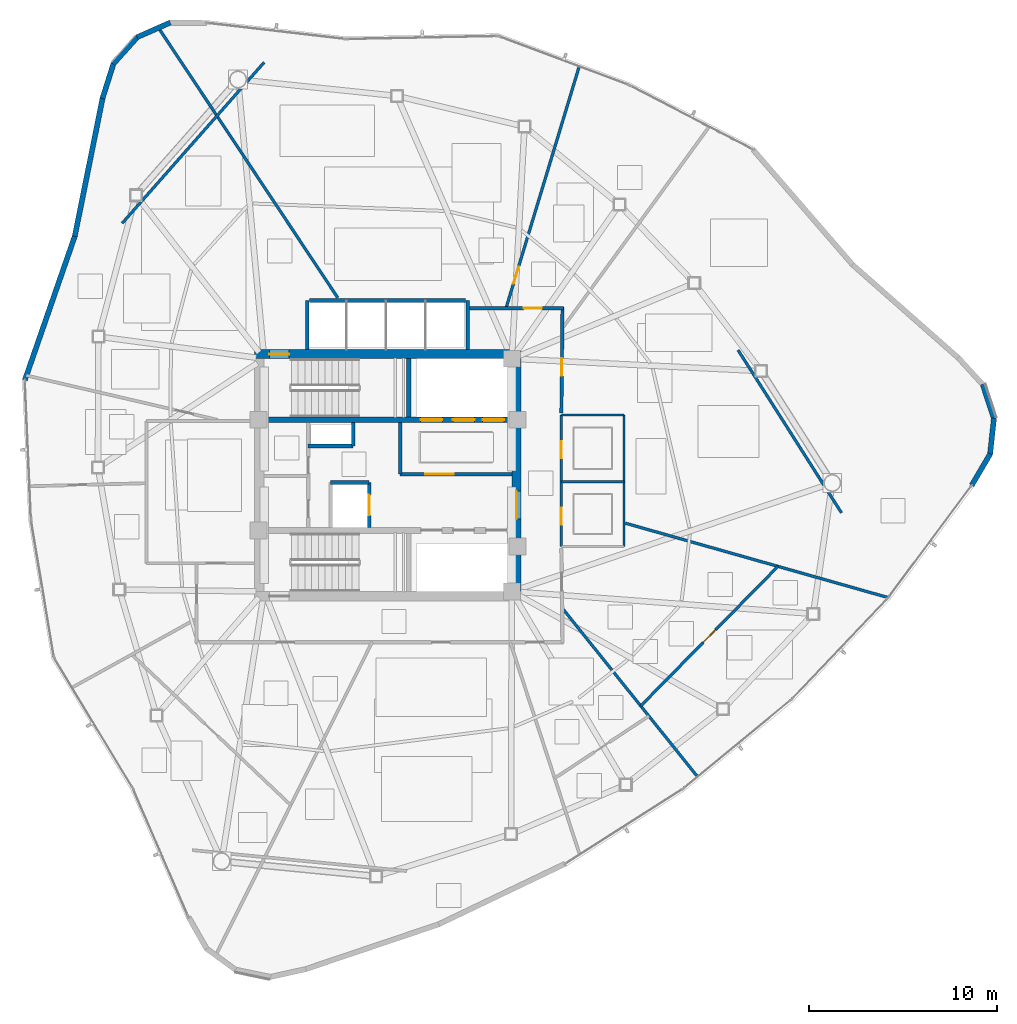
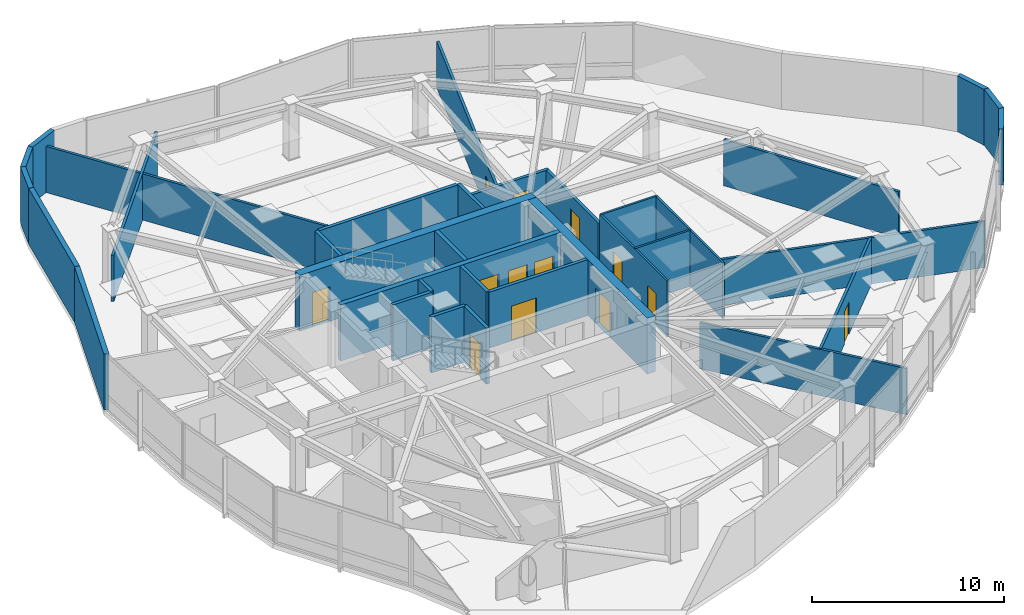
# One storey, part 12 of 17: 34 walls, 13 doors, 13 openings.
"""IFC4 building model written with IfcOpenShell, lengths in metres."""

from ifc_helpers import new_model, si_unit, direction, frame, frame_2d, origin, place, context, subcontext, project, spatial, rectangle, extrude, material, layer, layer_set, type_object, element, fill, save


model = new_model("IFC4")

# Units and contexts
model_context = context("Model", 3, precision=1e-05, world=origin(), true_north=direction((0.0, 1.0)))
body_context = subcontext(model_context, "Body", "Model", "MODEL_VIEW")
ifc_project = project(units=[si_unit("LENGTHUNIT", "METRE"), si_unit("AREAUNIT", "SQUARE_METRE"), si_unit("VOLUMEUNIT", "CUBIC_METRE"), si_unit("PLANEANGLEUNIT", "RADIAN"), si_unit("MASSUNIT", "GRAM", prefix="KILO")], contexts=[model_context])

# Site, building, storey
site_placement = place(None, origin())
site = spatial("IfcSite", under=ifc_project, at=site_placement, CompositionType="ELEMENT")
building_placement = place(site_placement, origin())
building = spatial("IfcBuilding", under=site, at=building_placement, Name="Tavelor Broadcast Tower", CompositionType="ELEMENT")
storey_placement = place(building_placement, frame((0.0, 0.0, 184.89990234375)))
storey = spatial("IfcBuildingStorey", under=building, at=storey_placement, Name="L44", CompositionType="ELEMENT", Elevation=184.89990234375)

# Wall, opening, door
ifc_material_1 = material(Name="Concrete C50/60", Category="concrete")
ifc_layer_1 = layer(ifc_material_1, 0.5)
ifc_layer_set_1 = layer_set([ifc_layer_1], Name="Concrete C50/60")
wall_type_1 = type_object("IfcWallType", Name="Core Shear Wall 500 mm", PredefinedType="SHEAR", material=ifc_layer_set_1)
wall_1_placement = place(storey_placement, frame((42.89990234375, 51.449951171875, 0.0), z_axis=(0.0, 0.0, 1.0), x_axis=(1.0, 0.0, 0.0)))
wall_1 = element("IfcWall", 1, at=wall_1_placement, inside=storey, type_object=wall_type_1, Name="L44 Central Core Shear Wall N", PredefinedType="SHEAR", context=body_context, shape_type="SweptSolid", body=[
    extrude(rectangle(XDim=14.2001953125, YDim=0.5, at=frame_2d((7.10009765625, 0.0))), origin(), (0.0, 0.0, 1.0), 3.550048828125),
])
opening_1_placement = place(wall_1_placement, frame((0.780029296875, 0.0, 0.0)))
opening_1 = element("IfcOpeningElement", 2, at=opening_1_placement, cuts=wall_1, Name="Opening DR11", PredefinedType="OPENING", context=body_context, shape_type="SweptSolid", body=[
    extrude(rectangle(XDim=1.050048828125, YDim=2.199951171875, at=frame_2d((0.52490234375, 1.10009765625))), frame((0.0, 0.260009765625, 0.0), z_axis=(0.0, -1.0, 0.0), x_axis=(1.0, 0.0, 0.0)), (0.0, 0.0, 1.0), 0.52001953125),
])
ifc_material_2 = material(Name="Steel S355", Category="steel")
door_type_1 = type_object("IfcDoorType", Name="Stair Core Fire Escape Door 1050x2200", OperationType="NOTDEFINED", PredefinedType="DOOR", material=ifc_material_2)
door_1_placement = place(opening_1_placement, origin())
door_1 = element("IfcDoor", 3, at=door_1_placement, inside=storey, type_object=door_type_1, Name="L44 Stair ST1 Protected Exit Door", OperationType="SINGLE_SWING_LEFT", OverallHeight=2.199951171875, OverallWidth=1.050048828125, PredefinedType="DOOR", context=body_context, shape_type="SweptSolid", body=[
    extrude(rectangle(XDim=1.050048828125, YDim=2.199951171875, at=frame_2d((0.52490234375, 1.10009765625))), frame((0.0, 0.02490234375, 0.0), z_axis=(0.0, -1.0, 0.0), x_axis=(1.0, 0.0, 0.0)), (0.0, 0.0, 1.0), 0.050048828125),
])
fill(opening_1, door_1)

wall_2_placement = place(storey_placement, frame((56.85009765625, 38.800048828125, 0.0), z_axis=(0.0, 0.0, 1.0), x_axis=(0.0, 1.0, 0.0)))
wall_2 = element("IfcWall", 4, at=wall_2_placement, inside=storey, type_object=wall_type_1, Name="L44 Central Core Shear Wall E", PredefinedType="SHEAR", context=body_context, shape_type="SweptSolid", body=[
    extrude(rectangle(XDim=12.39990234375, YDim=0.5, at=frame_2d((6.199951171875, 0.0))), origin(), (0.0, 0.0, 1.0), 3.550048828125),
])
opening_2_placement = place(wall_2_placement, frame((3.85009765625, 0.0, 0.0)))
opening_2 = element("IfcOpeningElement", 5, at=opening_2_placement, cuts=wall_2, Name="Opening DR14", PredefinedType="OPENING", context=body_context, shape_type="SweptSolid", body=[
    extrude(rectangle(XDim=1.5, YDim=2.199951171875, at=frame_2d((0.75, 1.10009765625))), frame((0.0, 0.260009765625, 0.0), z_axis=(0.0, -1.0, 0.0), x_axis=(1.0, 0.0, 0.0)), (0.0, 0.0, 1.0), 0.52001953125),
])
door_type_2 = type_object("IfcDoorType", Name="Firefighting Lobby Double Fire Door 1500x2200", OperationType="NOTDEFINED", PredefinedType="DOOR", material=ifc_material_2)
door_2_placement = place(opening_2_placement, origin())
door_2 = element("IfcDoor", 6, at=door_2_placement, inside=storey, type_object=door_type_2, Name="L44 Central Core Lobby Fire Door", OperationType="SINGLE_SWING_RIGHT", OverallHeight=2.199951171875, OverallWidth=1.5, PredefinedType="DOOR", context=body_context, shape_type="SweptSolid", body=[
    extrude(rectangle(XDim=1.5, YDim=2.199951171875, at=frame_2d((0.75, 1.10009765625))), frame((0.0, 0.02490234375, 0.0), z_axis=(0.0, -1.0, 0.0), x_axis=(1.0, 0.0, 0.0)), (0.0, 0.0, 1.0), 0.050048828125),
])
fill(opening_2, door_2)

# Wall, openings, doors
ifc_layer_2 = layer(ifc_material_1, 0.300048828125)
ifc_layer_set_2 = layer_set([ifc_layer_2], Name="Concrete C50/60")
wall_type_2 = type_object("IfcWallType", Name="Core Spine Shear Wall 300 mm C50", PredefinedType="SHEAR", material=ifc_layer_set_2)
wall_3_placement = place(storey_placement, frame((43.39990234375, 47.949951171875, 0.0), z_axis=(0.0, 0.0, 1.0), x_axis=(1.0, 0.0, 0.0)))
wall_3 = element("IfcWall", 7, at=wall_3_placement, inside=storey, type_object=wall_type_2, Name="L44 Central Core Shear Wall SP1", PredefinedType="SHEAR", context=body_context, shape_type="SweptSolid", body=[
    extrude(rectangle(XDim=13.2001953125, YDim=0.300048828125, at=frame_2d((6.60009765625, 0.0))), origin(), (0.0, 0.0, 1.0), 3.550048828125),
])
opening_3_placement = place(wall_3_placement, frame((8.344970703125, 0.0, 0.0)))
opening_3 = element("IfcOpeningElement", 8, at=opening_3_placement, cuts=wall_3, Name="Opening LD02", PredefinedType="OPENING", context=body_context, shape_type="SweptSolid", body=[
    extrude(rectangle(XDim=1.14990234375, YDim=2.199951171875, at=frame_2d((0.574951171875, 1.10009765625))), frame((0.0, 0.16015625, 0.0), z_axis=(0.0, -1.0, 0.0), x_axis=(1.0, 0.0, 0.0)), (0.0, 0.0, 1.0), 0.320068359375),
])
opening_4_placement = place(wall_3_placement, frame((10.06494140625, 0.0, 0.0)))
opening_4 = element("IfcOpeningElement", 9, at=opening_4_placement, cuts=wall_3, Name="Opening LD02", PredefinedType="OPENING", context=body_context, shape_type="SweptSolid", body=[
    extrude(rectangle(XDim=1.14990234375, YDim=2.199951171875, at=frame_2d((0.574951171875, 1.10009765625))), frame((0.0, 0.16015625, 0.0), z_axis=(0.0, -1.0, 0.0), x_axis=(1.0, 0.0, 0.0)), (0.0, 0.0, 1.0), 0.320068359375),
])
opening_5_placement = place(wall_3_placement, frame((11.64501953125, 0.0, 0.0)))
opening_5 = element("IfcOpeningElement", 10, at=opening_5_placement, cuts=wall_3, Name="Opening LD03", PredefinedType="OPENING", context=body_context, shape_type="SweptSolid", body=[
    extrude(rectangle(XDim=1.14990234375, YDim=2.199951171875, at=frame_2d((0.574951171875, 1.10009765625))), frame((0.0, 0.16015625, 0.0), z_axis=(0.0, -1.0, 0.0), x_axis=(1.0, 0.0, 0.0)), (0.0, 0.0, 1.0), 0.320068359375),
])
ifc_material_3 = material(Name="Reinforced Brushed Stainless Steel", Category="concrete")
door_type_3 = type_object("IfcDoorType", Name="Broadcast Goods Lift Sliding Landing Door 1250x2200", OperationType="NOTDEFINED", PredefinedType="DOOR", material=ifc_material_3)
door_3_placement = place(opening_5_placement, origin())
door_3 = element("IfcDoor", 11, at=door_3_placement, inside=storey, type_object=door_type_3, Name="L44 Lift SVL1 Sliding Landing Door", OperationType="SLIDING_TO_LEFT", OverallHeight=2.199951171875, OverallWidth=1.14990234375, PredefinedType="DOOR", context=body_context, shape_type="SweptSolid", body=[
    extrude(rectangle(XDim=1.14990234375, YDim=2.199951171875, at=frame_2d((0.574951171875, 1.10009765625))), frame((0.0, 0.02490234375, 0.0), z_axis=(0.0, -1.0, 0.0), x_axis=(1.0, 0.0, 0.0)), (0.0, 0.0, 1.0), 0.050048828125),
])
fill(opening_5, door_3)
ifc_material_4 = material(Name="Fire-Rated Stainless Steel", Category="steel")
door_type_4 = type_object("IfcDoorType", Name="Firefighting Lift Sliding Landing Door 1200x2200", OperationType="NOTDEFINED", PredefinedType="DOOR", material=ifc_material_4)
door_4_placement = place(opening_3_placement, origin())
door_4 = element("IfcDoor", 12, at=door_4_placement, inside=storey, type_object=door_type_4, Name="L44 Lift FFL1 Sliding Landing Door", OperationType="SLIDING_TO_LEFT", OverallHeight=2.199951171875, OverallWidth=1.14990234375, PredefinedType="DOOR", context=body_context, shape_type="SweptSolid", body=[
    extrude(rectangle(XDim=1.14990234375, YDim=2.199951171875, at=frame_2d((0.574951171875, 1.10009765625))), frame((0.0, 0.02490234375, 0.0), z_axis=(0.0, -1.0, 0.0), x_axis=(1.0, 0.0, 0.0)), (0.0, 0.0, 1.0), 0.050048828125),
])
fill(opening_3, door_4)
door_5_placement = place(opening_4_placement, origin())
door_5 = element("IfcDoor", 13, at=door_5_placement, inside=storey, type_object=door_type_4, Name="L44 Lift FFL2 Sliding Landing Door", OperationType="SLIDING_TO_LEFT", OverallHeight=2.199951171875, OverallWidth=1.14990234375, PredefinedType="DOOR", context=body_context, shape_type="SweptSolid", body=[
    extrude(rectangle(XDim=1.14990234375, YDim=2.199951171875, at=frame_2d((0.574951171875, 1.10009765625))), frame((0.0, 0.02490234375, 0.0), z_axis=(0.0, -1.0, 0.0), x_axis=(1.0, 0.0, 0.0)), (0.0, 0.0, 1.0), 0.050048828125),
])
fill(opening_4, door_5)

# Wall, opening, door
ifc_material_5 = material(Name="Calcium Silicate Fire Board 180 mm", Category="gypsum")
ifc_layer_3 = layer(ifc_material_5, 0.179931640625)
ifc_layer_set_3 = layer_set([ifc_layer_3], Name="Calcium Silicate Fire Board 180 mm")
wall_type_3 = type_object("IfcWallType", Name="Fire-Rated Corridor Partition Wall 180 mm", PredefinedType="PARTITIONING", material=ifc_layer_set_3)
wall_4_placement = place(storey_placement, frame((54.300048828125, 53.89990234375, 0.0), z_axis=(0.0, 0.0, 1.0), x_axis=(1.0, 0.0, 0.0)))
wall_4 = element("IfcWall", 14, at=wall_4_placement, inside=storey, type_object=wall_type_3, Name="L44 Corridor Compartment Wall 01", PredefinedType="PARTITIONING", context=body_context, shape_type="SweptSolid", body=[
    extrude(rectangle(XDim=5.050048828125, YDim=0.179931640625, at=frame_2d((2.52490234375, 0.0))), origin(), (0.0, 0.0, 1.0), 2.93505859375),
])
opening_6_placement = place(wall_4_placement, frame((2.947021484375, 0.0, 0.0)))
opening_6 = element("IfcOpeningElement", 15, at=opening_6_placement, cuts=wall_4, Name="Opening DR18", PredefinedType="OPENING", context=body_context, shape_type="SweptSolid", body=[
    extrude(rectangle(XDim=0.949951171875, YDim=2.050048828125, at=frame_2d((0.47509765625, 1.02490234375))), frame((0.0, 0.10009765625, 0.0), z_axis=(0.0, -1.0, 0.0), x_axis=(1.0, 0.0, 0.0)), (0.0, 0.0, 1.0), 0.199951171875),
])
ifc_material_6 = material(Name="Timber Solid Core Hardwood", Category="wood")
door_type_5 = type_object("IfcDoorType", Name="Corridor Rated Compartment Door 950x2050", OperationType="NOTDEFINED", PredefinedType="DOOR", material=ifc_material_6)
door_6_placement = place(opening_6_placement, origin())
door_6 = element("IfcDoor", 16, at=door_6_placement, inside=storey, type_object=door_type_5, Name="L44 Master Control Room Door R9", OperationType="SINGLE_SWING_LEFT", OverallHeight=2.050048828125, OverallWidth=0.949951171875, PredefinedType="DOOR", context=body_context, shape_type="SweptSolid", body=[
    extrude(rectangle(XDim=0.949951171875, YDim=2.050048828125, at=frame_2d((0.47509765625, 1.02490234375))), frame((0.0, 0.02490234375, 0.0), z_axis=(0.0, -1.0, 0.0), x_axis=(1.0, 0.0, 0.0)), (0.0, 0.0, 1.0), 0.050048828125),
])
fill(opening_6, door_6)

wall_5_placement = place(storey_placement, frame((59.300537109375, 53.949951171875, 0.0), z_axis=(0.0, 0.0, 1.0), x_axis=(-0.010629422803, -0.99994350609, 0.0)))
wall_5 = element("IfcWall", 17, at=wall_5_placement, inside=storey, type_object=wall_type_3, Name="L44 Corridor Compartment Wall 02", PredefinedType="PARTITIONING", context=body_context, shape_type="SweptSolid", body=[
    extrude(rectangle(XDim=5.650146484375, YDim=0.179931640625, at=frame_2d((2.8251953125, 0.0))), origin(), (0.0, 0.0, 1.0), 2.93505859375),
])
opening_7_placement = place(wall_5_placement, frame((2.71630859375, 0.0, 0.0)))
opening_7 = element("IfcOpeningElement", 18, at=opening_7_placement, cuts=wall_5, Name="Opening DR18", PredefinedType="OPENING", context=body_context, shape_type="SweptSolid", body=[
    extrude(rectangle(XDim=0.949951171875, YDim=2.050048828125, at=frame_2d((0.47509765625, 1.02490234375))), frame((0.0, 0.10009765625, 0.0), z_axis=(0.0, -1.0, 0.0), x_axis=(1.0, 0.0, 0.0)), (0.0, 0.0, 1.0), 0.199951171875),
])
door_7_placement = place(opening_7_placement, origin())
door_7 = element("IfcDoor", 19, at=door_7_placement, inside=storey, type_object=door_type_5, Name="L44 Standards Huddle Room Door R0", OperationType="SINGLE_SWING_RIGHT", OverallHeight=2.050048828125, OverallWidth=0.949951171875, PredefinedType="DOOR", context=body_context, shape_type="SweptSolid", body=[
    extrude(rectangle(XDim=0.949951171875, YDim=2.050048828125, at=frame_2d((0.47509765625, 1.02490234375))), frame((0.0, 0.02490234375, 0.0), z_axis=(0.0, -1.0, 0.0), x_axis=(1.0, 0.0, 0.0)), (0.0, 0.0, 1.0), 0.050048828125),
])
fill(opening_7, door_7)

# Walls
ifc_material_7 = material(Name="Precast Concrete C40/50", Category="concrete")
ifc_layer_4 = layer(ifc_material_7, 0.280029296875)
ifc_layer_set_4 = layer_set([ifc_layer_4], Name="Precast Concrete C40/50")
wall_type_4 = type_object("IfcWallType", Name="Insulated Precast Terracotta Facade Wall 280 mm", PredefinedType="STANDARD", material=ifc_layer_set_4)
for number, where, z_axis, x_axis, name in (
    (20, (38.401611328125, 69.115234375, 0.0), (0.0, 0.0, 1.0), (-0.914646501931, -0.404254593673, 0.0), "L44 Rounded Corner Structural Cladding Pier 02"),
    (21, (36.65380859375, 68.349365234375, 0.0), (0.0, 0.0, 1.0), (-0.66721481118, -0.744865354102, 0.0), "L44 Rounded Corner Structural Cladding Pier 03"),
):
    element("IfcWall", number, at=place(storey_placement, frame(where, z_axis=z_axis, x_axis=x_axis)), inside=storey, type_object=wall_type_4, Name=name, PredefinedType="STANDARD", context=body_context, shape_type="SweptSolid", body=[
        extrude(rectangle(XDim=1.936767578125, YDim=0.280029296875, at=frame_2d((0.96826171875, 0.0))), origin(), (0.0, 0.0, 1.0), 3.550048828125),
    ])
wall_6_placement = place(storey_placement, frame((35.3759765625, 66.93212890625, 0.0), z_axis=(0.0, 0.0, 1.0), x_axis=(-0.301536846472, -0.953454524463, 0.0)))
element("IfcWall", 22, at=wall_6_placement, inside=storey, type_object=wall_type_4, Name="L44 Rounded Corner Structural Cladding Pier 04", PredefinedType="STANDARD", context=body_context, shape_type="SweptSolid", body=[
    extrude(rectangle(XDim=1.95947265625, YDim=0.280029296875, at=frame_2d((0.979736328125, 0.0))), origin(), (0.0, 0.0, 1.0), 3.550048828125),
])
wall_7_placement = place(storey_placement, frame((34.792724609375, 65.093017578125, 0.0), z_axis=(0.0, 0.0, 1.0), x_axis=(-0.197271084359, -0.980348978311, 0.0)))
element("IfcWall", 23, at=wall_7_placement, inside=storey, type_object=wall_type_4, Name="L44 Rounded Corner Structural Cladding Pier 05", PredefinedType="STANDARD", context=body_context, shape_type="SweptSolid", body=[
    extrude(rectangle(XDim=7.51953125, YDim=0.280029296875, at=frame_2d((3.759765625, 0.0))), origin(), (0.0, 0.0, 1.0), 3.550048828125),
])
wall_8_placement = place(storey_placement, frame((33.3173828125, 57.75, 0.0), z_axis=(0.0, 0.0, 1.0), x_axis=(-0.327808231871, -0.944744284512, 0.0)))
element("IfcWall", 24, at=wall_8_placement, inside=storey, type_object=wall_type_4, Name="L44 Rounded Corner Structural Cladding Pier 06", PredefinedType="STANDARD", context=body_context, shape_type="SweptSolid", body=[
    extrude(rectangle(XDim=8.1357421875, YDim=0.280029296875, at=frame_2d((4.06787109375, 0.0))), origin(), (0.0, 0.0, 1.0), 3.550048828125),
])
wall_9_placement = place(storey_placement, frame((81.10546875, 44.45263671875, 0.0), z_axis=(0.0, 0.0, 1.0), x_axis=(0.506828463584, 0.862046929408, 0.0)))
element("IfcWall", 25, at=wall_9_placement, inside=storey, type_object=wall_type_4, Name="L44 Rounded Corner Structural Cladding Pier 21", PredefinedType="STANDARD", context=body_context, shape_type="SweptSolid", body=[
    extrude(rectangle(XDim=1.948486328125, YDim=0.280029296875, at=frame_2d((0.97412109375, 0.0))), origin(), (0.0, 0.0, 1.0), 3.550048828125),
])
for number, where, z_axis, x_axis, name in (
    (26, (82.083740234375, 46.1044921875, 0.0), (0.0, 0.0, 1.0), (0.107138374917, 0.994244119228, 0.0), "L44 Rounded Corner Structural Cladding Pier 22"),
    (27, (82.294189453125, 48.001220703125, 0.0), (0.0, 0.0, 1.0), (-0.311459245506, 0.950259511075, 0.0), "L44 Rounded Corner Structural Cladding Pier 23"),
):
    element("IfcWall", number, at=place(storey_placement, frame(where, z_axis=z_axis, x_axis=x_axis)), inside=storey, type_object=wall_type_4, Name=name, PredefinedType="STANDARD", context=body_context, shape_type="SweptSolid", body=[
        extrude(rectangle(XDim=1.93701171875, YDim=0.280029296875, at=frame_2d((0.968505859375, 0.0))), origin(), (0.0, 0.0, 1.0), 3.550048828125),
    ])
ifc_material_8 = material(Name="Gypsum Acoustic Plasterboard 150 mm", Category="gypsum")
ifc_layer_5 = layer(ifc_material_8, 0.14990234375)
ifc_layer_set_5 = layer_set([ifc_layer_5], Name="Gypsum Acoustic Plasterboard 150 mm")
wall_type_5 = type_object("IfcWallType", Name="Interior Acoustic Partition Wall 150 mm", PredefinedType="PARTITIONING", material=ifc_layer_set_5)
wall_10_placement = place(storey_placement, frame((43.399658203125, 66.988525390625, 0.0), z_axis=(0.0, 0.0, 1.0), x_axis=(-0.661622343701, -0.749837231881, 0.0)))
element("IfcWall", 28, at=wall_10_placement, inside=storey, type_object=wall_type_5, Name="L44 Corner Tube Brace Furring Wall 1", PredefinedType="PARTITIONING", context=body_context, shape_type="SweptSolid", body=[
    extrude(rectangle(XDim=11.42724609375, YDim=0.14990234375, at=frame_2d((5.713623046875, 0.0))), origin(), (0.0, 0.0, 1.0), 2.93505859375),
])
wall_11_placement = place(storey_placement, frame((74.16259765625, 42.9931640625, 0.0), z_axis=(0.0, 0.0, 1.0), x_axis=(-0.53628142437, 0.844039237166, 0.0)))
element("IfcWall", 29, at=wall_11_placement, inside=storey, type_object=wall_type_5, Name="L44 Corner Tube Brace Furring Wall 3", PredefinedType="PARTITIONING", context=body_context, shape_type="SweptSolid", body=[
    extrude(rectangle(XDim=10.266845703125, YDim=0.14990234375, at=frame_2d((5.13330078125, 0.0))), origin(), (0.0, 0.0, 1.0), 2.93505859375),
])
wall_12_placement = place(storey_placement, frame((59.2783203125, 37.9228515625, 0.0), z_axis=(0.0, 0.0, 1.0), x_axis=(0.625811087675, -0.779974667885, 0.0)))
element("IfcWall", 30, at=wall_12_placement, inside=storey, type_object=wall_type_5, Name="L44 Radial Compartment Wall 05", PredefinedType="PARTITIONING", context=body_context, shape_type="SweptSolid", body=[
    extrude(rectangle(XDim=11.544677734375, YDim=0.14990234375, at=frame_2d((5.7724609375, 0.0))), origin(), (0.0, 0.0, 1.0), 2.93505859375),
])
wall_13_placement = place(storey_placement, frame((62.64990234375, 42.43798828125, 0.0), z_axis=(0.0, 0.0, 1.0), x_axis=(0.962191299286, -0.272374564852, 0.0)))
element("IfcWall", 31, at=wall_13_placement, inside=storey, type_object=wall_type_5, Name="L44 Radial Compartment Wall 06", PredefinedType="PARTITIONING", context=body_context, shape_type="SweptSolid", body=[
    extrude(rectangle(XDim=14.571044921875, YDim=0.14990234375, at=frame_2d((7.28564453125, 0.0))), origin(), (0.0, 0.0, 1.0), 2.93505859375),
])

# Wall, opening, door
wall_14_placement = place(storey_placement, frame((56.293701171875, 53.89990234375, 0.0), z_axis=(0.0, 0.0, 1.0), x_axis=(0.289678173214, 0.957124106876, 0.0)))
wall_14 = element("IfcWall", 32, at=wall_14_placement, inside=storey, type_object=wall_type_5, Name="L44 Radial Compartment Wall 08", PredefinedType="PARTITIONING", context=body_context, shape_type="SweptSolid", body=[
    extrude(rectangle(XDim=13.461181640625, YDim=0.14990234375, at=frame_2d((6.73046875, 0.0))), origin(), (0.0, 0.0, 1.0), 2.93505859375),
])
opening_8_placement = place(wall_14_placement, frame((1.35009765625, 0.0, 0.0)))
opening_8 = element("IfcOpeningElement", 33, at=opening_8_placement, cuts=wall_14, Name="Opening DR18", PredefinedType="OPENING", context=body_context, shape_type="SweptSolid", body=[
    extrude(rectangle(XDim=0.949951171875, YDim=2.050048828125, at=frame_2d((0.47509765625, 1.02490234375))), frame((0.0, 0.0849609375, 0.0), z_axis=(0.0, -1.0, 0.0), x_axis=(1.0, 0.0, 0.0)), (0.0, 0.0, 1.0), 0.169921875),
])
door_8_placement = place(opening_8_placement, origin())
door_8 = element("IfcDoor", 34, at=door_8_placement, inside=storey, type_object=door_type_5, Name="L44 Suite Connecting Door 8", OperationType="SINGLE_SWING_RIGHT", OverallHeight=2.050048828125, OverallWidth=0.949951171875, PredefinedType="DOOR", context=body_context, shape_type="SweptSolid", body=[
    extrude(rectangle(XDim=0.949951171875, YDim=2.050048828125, at=frame_2d((0.47509765625, 1.02490234375))), frame((0.0, 0.02490234375, 0.0), z_axis=(0.0, -1.0, 0.0), x_axis=(1.0, 0.0, 0.0)), (0.0, 0.0, 1.0), 0.050048828125),
])
fill(opening_8, door_8)

# Wall
wall_15_placement = place(storey_placement, frame((47.32421875, 54.449951171875, 0.0), z_axis=(0.0, 0.0, 1.0), x_axis=(-0.553219076903, 0.833035805324, 0.0)))
element("IfcWall", 35, at=wall_15_placement, inside=storey, type_object=wall_type_5, Name="L44 Radial Compartment Wall 09", PredefinedType="PARTITIONING", context=body_context, shape_type="SweptSolid", body=[
    extrude(rectangle(XDim=17.27978515625, YDim=0.14990234375, at=frame_2d((8.639892578125, 0.0))), origin(), (0.0, 0.0, 1.0), 2.93505859375),
])

# Wall, opening, door
wall_16_placement = place(storey_placement, frame((63.46875, 32.7001953125, 0.0), z_axis=(0.0, 0.0, 1.0), x_axis=(0.701171291032, 0.712992861558, 0.0)))
wall_16 = element("IfcWall", 36, at=wall_16_placement, inside=storey, type_object=wall_type_5, Name="L44 Suite Chord Partition Wall 02", PredefinedType="PARTITIONING", context=body_context, shape_type="SweptSolid", body=[
    extrude(rectangle(XDim=10.429443359375, YDim=0.14990234375, at=frame_2d((5.21484375, 0.0))), origin(), (0.0, 0.0, 1.0), 2.93505859375),
])
opening_9_placement = place(wall_16_placement, frame((4.73974609375, 0.0, 0.0)))
opening_9 = element("IfcOpeningElement", 37, at=opening_9_placement, cuts=wall_16, Name="Opening DR23", PredefinedType="OPENING", context=body_context, shape_type="SweptSolid", body=[
    extrude(rectangle(XDim=0.949951171875, YDim=2.050048828125, at=frame_2d((0.47509765625, 1.02490234375))), frame((0.0, 0.0849609375, 0.0), z_axis=(0.0, -1.0, 0.0), x_axis=(1.0, 0.0, 0.0)), (0.0, 0.0, 1.0), 0.169921875),
])
door_type_6 = type_object("IfcDoorType", Name="Editorial Room Acoustic Door 950x2050", OperationType="NOTDEFINED", PredefinedType="DOOR", material=ifc_material_6)
door_9_placement = place(opening_9_placement, origin())
door_9 = element("IfcDoor", 38, at=door_9_placement, inside=storey, type_object=door_type_6, Name="L44 Outer Suite Partition Door 2", OperationType="SINGLE_SWING_LEFT", OverallHeight=2.050048828125, OverallWidth=0.949951171875, PredefinedType="DOOR", context=body_context, shape_type="SweptSolid", body=[
    extrude(rectangle(XDim=0.949951171875, YDim=2.050048828125, at=frame_2d((0.47509765625, 1.02490234375))), frame((0.0, 0.02490234375, 0.0), z_axis=(0.0, -1.0, 0.0), x_axis=(1.0, 0.0, 0.0)), (0.0, 0.0, 1.0), 0.050048828125),
])
fill(opening_9, door_9)

ifc_material_9 = material(Name="Concrete Blockwork 200 mm", Category="masonry")
ifc_layer_6 = layer(ifc_material_9, 0.199951171875)
ifc_layer_set_6 = layer_set([ifc_layer_6], Name="Concrete Blockwork 200 mm")
wall_type_6 = type_object("IfcWallType", Name="Lift Hoistway Rated Front Wall 200 mm", PredefinedType="PARTITIONING", material=ifc_layer_set_6)
wall_17_placement = place(storey_placement, frame((49.0, 42.199951171875, 0.0), z_axis=(0.0, 0.0, 1.0), x_axis=(0.0, 1.0, 0.0)))
wall_17 = element("IfcWall", 39, at=wall_17_placement, inside=storey, type_object=wall_type_6, Name="L44 Mid-Rise Lift PLM4 Hoistway Front Wall", PredefinedType="PARTITIONING", context=body_context, shape_type="SweptSolid", body=[
    extrude(rectangle(XDim=2.400146484375, YDim=0.199951171875, at=frame_2d((1.2001953125, 0.0))), origin(), (0.0, 0.0, 1.0), 3.550048828125),
])
opening_10_placement = place(wall_17_placement, frame((0.64990234375, 0.0, 0.0)))
opening_10 = element("IfcOpeningElement", 40, at=opening_10_placement, cuts=wall_17, Name="Opening LD01", PredefinedType="OPENING", context=body_context, shape_type="SweptSolid", body=[
    extrude(rectangle(XDim=1.10009765625, YDim=2.14990234375, at=frame_2d((0.550048828125, 1.074951171875))), frame((0.0, 0.10986328125, 0.0), z_axis=(0.0, -1.0, 0.0), x_axis=(1.0, 0.0, 0.0)), (0.0, 0.0, 1.0), 0.219970703125),
])
ifc_material_10 = material(Name="Brushed Stainless Steel", Category="steel")
door_type_7 = type_object("IfcDoorType", Name="Passenger Lift Sliding Landing Door 1100x2150", OperationType="NOTDEFINED", PredefinedType="DOOR", material=ifc_material_10)
door_10_placement = place(opening_10_placement, origin())
door_10 = element("IfcDoor", 41, at=door_10_placement, inside=storey, type_object=door_type_7, Name="L44 Lift PLM4 Sliding Landing Door", OperationType="SLIDING_TO_RIGHT", OverallHeight=2.14990234375, OverallWidth=1.10009765625, PredefinedType="DOOR", context=body_context, shape_type="SweptSolid", body=[
    extrude(rectangle(XDim=1.10009765625, YDim=2.14990234375, at=frame_2d((0.550048828125, 1.074951171875))), frame((0.0, 0.02490234375, 0.0), z_axis=(0.0, -1.0, 0.0), x_axis=(1.0, 0.0, 0.0)), (0.0, 0.0, 1.0), 0.050048828125),
])
fill(opening_10, door_10)

# Walls
wall_18_placement = place(storey_placement, frame((45.820068359375, 54.300048828125, 0.0), z_axis=(0.0, 0.0, 1.0), x_axis=(1.0, 0.0, 0.0)))
element("IfcWall", 42, at=wall_18_placement, inside=storey, type_object=wall_type_6, Name="L44 High-Rise Lift Hoistway Front Wall", PredefinedType="PARTITIONING", context=body_context, shape_type="SweptSolid", body=[
    extrude(rectangle(XDim=8.309814453125, YDim=0.199951171875, at=frame_2d((4.15478515625, 0.0))), origin(), (0.0, 0.0, 1.0), 3.550048828125),
])
ifc_layer_7 = layer(ifc_material_9, 0.199951171875)
ifc_layer_set_7 = layer_set([ifc_layer_7], Name="Concrete Blockwork 200 mm")
wall_type_7 = type_object("IfcWallType", Name="Lift and Riser Shaft Enclosure Wall 200 mm", PredefinedType="PARTITIONING", material=ifc_layer_set_7)
for number, where, z_axis, x_axis, name in (
    (43, (45.699951171875, 51.699951171875, 0.0), (0.0, 0.0, 1.0), (0.0, 1.0, 0.0), "L44 High-Rise Lift Shaft West Wall"),
    (44, (54.25, 51.699951171875, 0.0), (0.0, 0.0, 1.0), (0.0, 1.0, 0.0), "L44 High-Rise Lift Shaft East Wall"),
):
    element("IfcWall", number, at=place(storey_placement, frame(where, z_axis=z_axis, x_axis=x_axis)), inside=storey, type_object=wall_type_7, Name=name, PredefinedType="PARTITIONING", context=body_context, shape_type="SweptSolid", body=[
        extrude(rectangle(XDim=2.60009765625, YDim=0.199951171875, at=frame_2d((1.300048828125, 0.0))), origin(), (0.0, 0.0, 1.0), 3.550048828125),
    ])
wall_19_placement = place(storey_placement, frame((45.75, 46.550048828125, 0.0), z_axis=(0.0, 0.0, 1.0), x_axis=(1.0, 0.0, 0.0)))
element("IfcWall", 45, at=wall_19_placement, inside=storey, type_object=wall_type_7, Name="L44 Riser Shaft South Wall", PredefinedType="PARTITIONING", context=body_context, shape_type="SweptSolid", body=[
    extrude(rectangle(XDim=2.39990234375, YDim=0.199951171875, at=frame_2d((1.199951171875, 0.0))), origin(), (0.0, 0.0, 1.0), 3.550048828125),
])
wall_20_placement = place(storey_placement, frame((48.14990234375, 46.550048828125, 0.0), z_axis=(0.0, 0.0, 1.0), x_axis=(0.0, 1.0, 0.0)))
element("IfcWall", 46, at=wall_20_placement, inside=storey, type_object=wall_type_7, Name="L44 Riser Shaft East Wall", PredefinedType="PARTITIONING", context=body_context, shape_type="SweptSolid", body=[
    extrude(rectangle(XDim=1.25, YDim=0.199951171875, at=frame_2d((0.625, 0.0))), origin(), (0.0, 0.0, 1.0), 3.550048828125),
])
wall_21_placement = place(storey_placement, frame((46.949951171875, 44.60009765625, 0.0), z_axis=(0.0, 0.0, 1.0), x_axis=(1.0, 0.0, 0.0)))
element("IfcWall", 47, at=wall_21_placement, inside=storey, type_object=wall_type_7, Name="L44 Mid-Rise Lift PLM4 North Wall", PredefinedType="PARTITIONING", context=body_context, shape_type="SweptSolid", body=[
    extrude(rectangle(XDim=2.050048828125, YDim=0.199951171875, at=frame_2d((1.02490234375, 0.0))), origin(), (0.0, 0.0, 1.0), 3.550048828125),
])

# Wall, opening, door
wall_22_placement = place(storey_placement, frame((50.64990234375, 45.050048828125, 0.0), z_axis=(0.0, 0.0, 1.0), x_axis=(1.0, 0.0, 0.0)))
wall_22 = element("IfcWall", 48, at=wall_22_placement, inside=storey, type_object=wall_type_7, Name="L44 Firefighting Lobby South Wall", PredefinedType="PARTITIONING", context=body_context, shape_type="SweptSolid", body=[
    extrude(rectangle(XDim=5.9501953125, YDim=0.199951171875, at=frame_2d((2.97509765625, 0.0))), origin(), (0.0, 0.0, 1.0), 3.550048828125),
])
opening_11_placement = place(wall_22_placement, frame((1.35009765625, 0.0, 0.0)))
opening_11 = element("IfcOpeningElement", 49, at=opening_11_placement, cuts=wall_22, Name="Opening DR14", PredefinedType="OPENING", context=body_context, shape_type="SweptSolid", body=[
    extrude(rectangle(XDim=1.5, YDim=2.199951171875, at=frame_2d((0.75, 1.10009765625))), frame((0.0, 0.10986328125, 0.0), z_axis=(0.0, -1.0, 0.0), x_axis=(1.0, 0.0, 0.0)), (0.0, 0.0, 1.0), 0.219970703125),
])
door_11_placement = place(opening_11_placement, origin())
door_11 = element("IfcDoor", 50, at=door_11_placement, inside=storey, type_object=door_type_2, Name="L44 Firefighting Lobby Compartment Door", OperationType="SINGLE_SWING_LEFT", OverallHeight=2.199951171875, OverallWidth=1.5, PredefinedType="DOOR", context=body_context, shape_type="SweptSolid", body=[
    extrude(rectangle(XDim=1.5, YDim=2.199951171875, at=frame_2d((0.75, 1.10009765625))), frame((0.0, 0.02490234375, 0.0), z_axis=(0.0, -1.0, 0.0), x_axis=(1.0, 0.0, 0.0)), (0.0, 0.0, 1.0), 0.050048828125),
])
fill(opening_11, door_11)

# Wall
wall_23_placement = place(storey_placement, frame((50.64990234375, 45.050048828125, 0.0), z_axis=(0.0, 0.0, 1.0), x_axis=(0.0, 1.0, 0.0)))
element("IfcWall", 51, at=wall_23_placement, inside=storey, type_object=wall_type_7, Name="L44 Firefighting Lobby West Wall", PredefinedType="PARTITIONING", context=body_context, shape_type="SweptSolid", body=[
    extrude(rectangle(XDim=2.75, YDim=0.199951171875, at=frame_2d((1.375, 0.0))), origin(), (0.0, 0.0, 1.0), 3.550048828125),
])

# Wall, openings, doors
ifc_material_11 = material(Name="Moisture-Resistant Plasterboard 120 mm", Category="gypsum")
ifc_layer_8 = layer(ifc_material_11, 0.1201171875)
ifc_layer_set_8 = layer_set([ifc_layer_8], Name="Moisture-Resistant Plasterboard 120 mm")
wall_type_8 = type_object("IfcWallType", Name="Moisture-Resistant Wet-Room Partition 120 mm", PredefinedType="PARTITIONING", material=ifc_layer_set_8)
wall_24_placement = place(storey_placement, frame((59.239990234375, 41.199951171875, 0.0), z_axis=(0.0, 0.0, 1.0), x_axis=(0.0, 1.0, 0.0)))
wall_24 = element("IfcWall", 52, at=wall_24_placement, inside=storey, type_object=wall_type_8, Name="L44 Floor Washrooms West Wall", PredefinedType="PARTITIONING", context=body_context, shape_type="SweptSolid", body=[
    extrude(rectangle(XDim=7.0, YDim=0.1201171875, at=frame_2d((3.5, 0.0))), origin(), (0.0, 0.0, 1.0), 3.550048828125),
])
opening_12_placement = place(wall_24_placement, frame((1.14990234375, 0.0, 0.0)))
opening_12 = element("IfcOpeningElement", 53, at=opening_12_placement, cuts=wall_24, Name="Opening DR32", PredefinedType="OPENING", context=body_context, shape_type="SweptSolid", body=[
    extrude(rectangle(XDim=0.89990234375, YDim=2.050048828125, at=frame_2d((0.449951171875, 1.02490234375))), frame((0.0, 0.070068359375, 0.0), z_axis=(0.0, -1.0, 0.0), x_axis=(1.0, 0.0, 0.0)), (0.0, 0.0, 1.0), 0.14013671875),
])
opening_13_placement = place(wall_24_placement, frame((4.699951171875, 0.0, 0.0)))
opening_13 = element("IfcOpeningElement", 54, at=opening_13_placement, cuts=wall_24, Name="Opening DR32", PredefinedType="OPENING", context=body_context, shape_type="SweptSolid", body=[
    extrude(rectangle(XDim=0.89990234375, YDim=2.050048828125, at=frame_2d((0.449951171875, 1.02490234375))), frame((0.0, 0.070068359375, 0.0), z_axis=(0.0, -1.0, 0.0), x_axis=(1.0, 0.0, 0.0)), (0.0, 0.0, 1.0), 0.14013671875),
])
door_type_8 = type_object("IfcDoorType", Name="Accessible Washroom Door 900x2050", OperationType="NOTDEFINED", PredefinedType="DOOR", material=ifc_material_6)
door_12_placement = place(opening_12_placement, origin())
door_12 = element("IfcDoor", 55, at=door_12_placement, inside=storey, type_object=door_type_8, Name="L44 Accessible WC Door", OperationType="SINGLE_SWING_LEFT", OverallHeight=2.050048828125, OverallWidth=0.89990234375, PredefinedType="DOOR", context=body_context, shape_type="SweptSolid", body=[
    extrude(rectangle(XDim=0.89990234375, YDim=2.050048828125, at=frame_2d((0.449951171875, 1.02490234375))), frame((0.0, 0.02490234375, 0.0), z_axis=(0.0, -1.0, 0.0), x_axis=(1.0, 0.0, 0.0)), (0.0, 0.0, 1.0), 0.050048828125),
])
fill(opening_12, door_12)
door_13_placement = place(opening_13_placement, origin())
door_13 = element("IfcDoor", 56, at=door_13_placement, inside=storey, type_object=door_type_8, Name="L44 Staff Washroom WC Door", OperationType="SINGLE_SWING_RIGHT", OverallHeight=2.050048828125, OverallWidth=0.89990234375, PredefinedType="DOOR", context=body_context, shape_type="SweptSolid", body=[
    extrude(rectangle(XDim=0.89990234375, YDim=2.050048828125, at=frame_2d((0.449951171875, 1.02490234375))), frame((0.0, 0.02490234375, 0.0), z_axis=(0.0, -1.0, 0.0), x_axis=(1.0, 0.0, 0.0)), (0.0, 0.0, 1.0), 0.050048828125),
])
fill(opening_13, door_13)

# Walls
for number, where, z_axis, x_axis, name in (
    (57, (59.239990234375, 44.64990234375, 0.0), (0.0, 0.0, 1.0), (1.0, 0.0, 0.0), "L44 Floor Washrooms Divider Wall"),
    (58, (59.239990234375, 48.199951171875, 0.0), (0.0, 0.0, 1.0), (1.0, 0.0, 0.0), "L44 Floor Washrooms North Wall"),
):
    element("IfcWall", number, at=place(storey_placement, frame(where, z_axis=z_axis, x_axis=x_axis)), inside=storey, type_object=wall_type_8, Name=name, PredefinedType="PARTITIONING", context=body_context, shape_type="SweptSolid", body=[
        extrude(rectangle(XDim=3.340087890625, YDim=0.1201171875, at=frame_2d((1.669921875, 0.0))), origin(), (0.0, 0.0, 1.0), 3.550048828125),
    ])
wall_25_placement = place(storey_placement, frame((62.580078125, 41.199951171875, 0.0), z_axis=(0.0, 0.0, 1.0), x_axis=(0.0, 1.0, 0.0)))
element("IfcWall", 59, at=wall_25_placement, inside=storey, type_object=wall_type_8, Name="L44 Floor Washrooms East Wall", PredefinedType="PARTITIONING", context=body_context, shape_type="SweptSolid", body=[
    extrude(rectangle(XDim=7.0, YDim=0.1201171875, at=frame_2d((3.5, 0.0))), origin(), (0.0, 0.0, 1.0), 3.550048828125),
])
ifc_material_12 = material(Name="Concrete C40/50", Category="concrete")
ifc_layer_9 = layer(ifc_material_12, 0.219970703125)
ifc_layer_set_9 = layer_set([ifc_layer_9], Name="Concrete C40/50")
wall_type_9 = type_object("IfcWallType", Name="Structural Stairwell Shear Wall 220 mm", PredefinedType="SHEAR", material=ifc_layer_set_9)
wall_26_placement = place(storey_placement, frame((51.110107421875, 48.10009765625, 0.0), z_axis=(0.0, 0.0, 1.0), x_axis=(0.0, 1.0, 0.0)))
element("IfcWall", 60, at=wall_26_placement, inside=storey, type_object=wall_type_9, Name="L44 Stair ST1 Structural Shaft Wall", PredefinedType="SHEAR", context=body_context, shape_type="SweptSolid", body=[
    extrude(rectangle(XDim=3.099853515625, YDim=0.219970703125, at=frame_2d((1.5498046875, 0.0))), origin(), (0.0, 0.0, 1.0), 3.550048828125),
])

save(model, "model.ifc")
